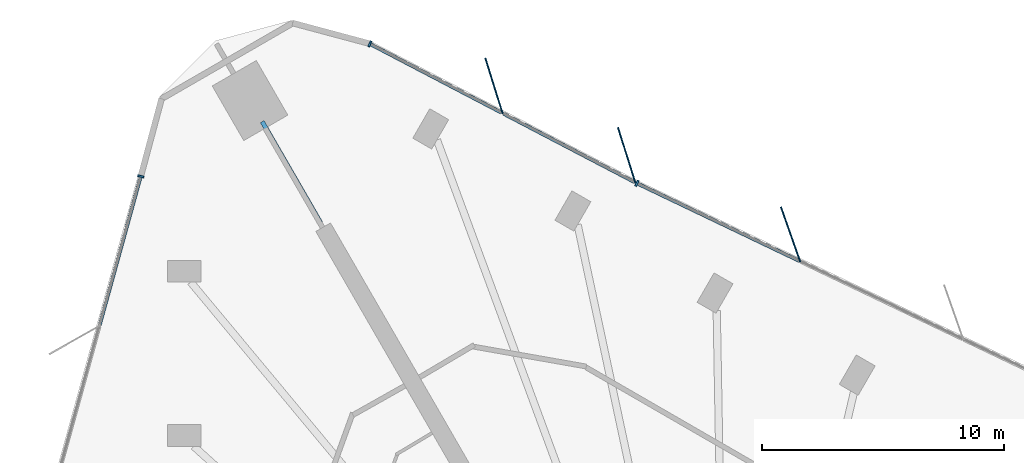
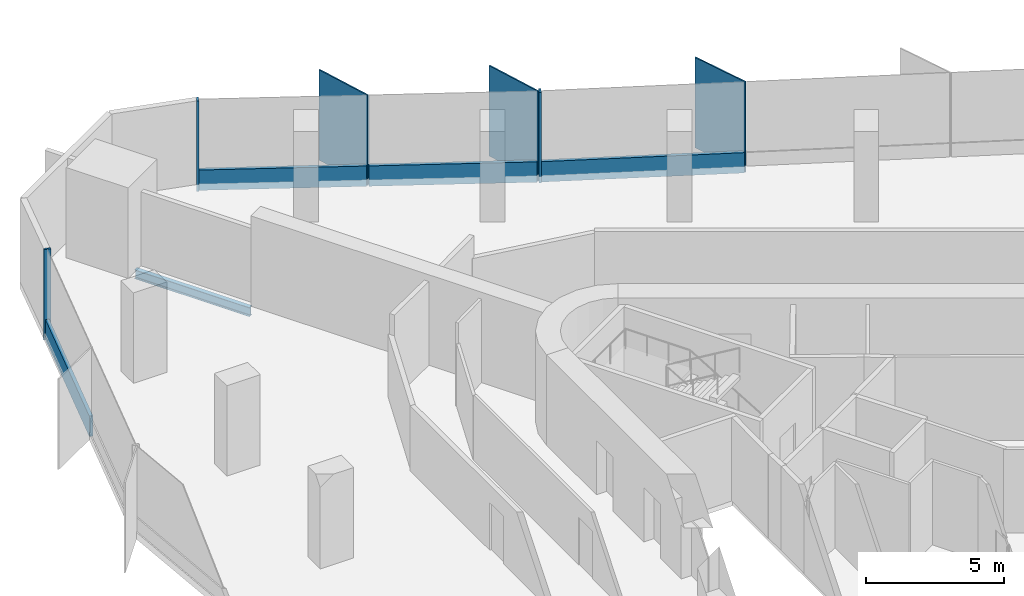
# One storey, part 6 of 13: 10 members, 1 beam, 3 elements without a shape of their own.
"""IFC4 building model written with IfcOpenShell, lengths in metres."""

from ifc_helpers import new_model, si_unit, direction, frame, origin, origin_2d, place, context, subcontext, project, spatial, rectangle, i_section, extrude, material, material_profile, profile_set, type_object, element, aggregate, save


model = new_model("IFC4")

# Units and contexts
model_context = context("Model", 3, precision=1e-05, world=origin(), true_north=direction((0.0, 1.0)))
body_context = subcontext(model_context, "Body", "Model", "MODEL_VIEW")
ifc_project = project(units=[si_unit("LENGTHUNIT", "METRE"), si_unit("AREAUNIT", "SQUARE_METRE"), si_unit("VOLUMEUNIT", "CUBIC_METRE"), si_unit("PLANEANGLEUNIT", "RADIAN"), si_unit("MASSUNIT", "GRAM", prefix="KILO")], contexts=[model_context])

# Site, building, storey
site_placement = place(None, origin())
site = spatial("IfcSite", under=ifc_project, at=site_placement, CompositionType="ELEMENT")
building_placement = place(site_placement, origin())
building = spatial("IfcBuilding", under=site, at=building_placement, Name="Tanit Gate Tower", CompositionType="ELEMENT")
storey_placement = place(building_placement, frame((0.0, 0.0, 181.199951171875)))
storey = spatial("IfcBuildingStorey", under=building, at=storey_placement, Name="L39", CompositionType="ELEMENT", Elevation=181.199951171875)

# Curtain wall, member
ifc_material_1 = material(Name="Aluminium bronze anodised and glass", Category="aluminium")
curtain_wall_type = type_object("IfcCurtainWallType", Name="Curtain wall typical mid", PredefinedType="NOTDEFINED", material=ifc_material_1)
curtain_wall_1_placement = place(storey_placement, origin())
curtain_wall_1 = element("IfcCurtainWall", 1, at=curtain_wall_1_placement, inside=storey, type_object=curtain_wall_type, Name="Curtain wall L39 NE2", PredefinedType="NOTDEFINED")
ifc_material_2 = material(Name="Aluminium bronze anodised", Category="aluminium")
ifc_material_profile_1 = material_profile(ifc_material_2, rectangle(XDim=2.39990234375, YDim=0.055908203125, at=origin_2d()), Name="56x2400 bronze fin mullion")
ifc_profile_set_1 = profile_set([ifc_material_profile_1], Name="Aluminium bronze anodised")
member_type_1 = type_object("IfcMemberType", Name="FIN MULLION 56x2400 bronze", PredefinedType="MULLION", material=ifc_profile_set_1)
member_1_placement = place(storey_placement, frame((2.5966796875, 28.60400390625, -0.300048828125), z_axis=(0.0, 0.0, 1.0), x_axis=(0.333090099539, -0.94289500242, 0.0)))
member_1 = element("IfcMember", 2, at=member_1_placement, type_object=member_type_1, Name="Fin mullion L39 NE2.5", PredefinedType="MULLION", context=body_context, shape_type="SweptSolid", body=[
    extrude(rectangle(XDim=2.39990234375, YDim=0.055908203125, at=origin_2d()), origin(), (0.0, 0.0, 1.0), 4.0),
])

# Curtain wall, members
curtain_wall_2_placement = place(storey_placement, origin())
curtain_wall_2 = element("IfcCurtainWall", 3, at=curtain_wall_2_placement, inside=storey, type_object=curtain_wall_type, Name="Curtain wall L39 NE3", PredefinedType="NOTDEFINED")
member_2_placement = place(storey_placement, frame((-4.16552734375, 31.869384765625, -0.300048828125), z_axis=(0.0, 0.0, 1.0), x_axis=(0.299452427004, -0.954111232489, 0.0)))
member_2 = element("IfcMember", 4, at=member_2_placement, type_object=member_type_1, Name="Fin mullion L39 NE3.1", PredefinedType="MULLION", context=body_context, shape_type="SweptSolid", body=[
    extrude(rectangle(XDim=2.39990234375, YDim=0.055908203125, at=origin_2d()), origin(), (0.0, 0.0, 1.0), 4.0),
])
member_3_placement = place(storey_placement, frame((-9.63818359375, 34.727294921875, -0.300048828125), z_axis=(0.0, 0.0, 1.0), x_axis=(0.299452427004, -0.954111232489, 0.0)))
member_3 = element("IfcMember", 5, at=member_3_placement, type_object=member_type_1, Name="Fin mullion L39 NE3.2", PredefinedType="MULLION", context=body_context, shape_type="SweptSolid", body=[
    extrude(rectangle(XDim=2.39990234375, YDim=0.055908203125, at=origin_2d()), origin(), (0.0, 0.0, 1.0), 4.0),
])

# Member
ifc_material_3 = material(Name="Aluminium bronze anodised", Category="aluminium")
ifc_material_profile_2 = material_profile(ifc_material_3, rectangle(XDim=0.260009765625, YDim=0.080078125, at=origin_2d()), Name="80x260 bronze mullion")
ifc_profile_set_2 = profile_set([ifc_material_profile_2], Name="Aluminium bronze anodised")
member_type_2 = type_object("IfcMemberType", Name="Mullion 80x260 typical mid", PredefinedType="MULLION", material=ifc_profile_set_2)
member_4_placement = place(storey_placement, frame((-3.740966796875, 30.708984375, -0.300048828125), z_axis=(0.0, 0.0, 1.0), x_axis=(-0.431197182029, -0.902257718288, 0.0)))
member_4 = element("IfcMember", 6, at=member_4_placement, type_object=member_type_2, Name="Mullion L39 NE2.6", PredefinedType="MULLION", context=body_context, shape_type="SweptSolid", body=[
    extrude(rectangle(XDim=0.260009765625, YDim=0.080078125, at=origin_2d()), origin(), (0.0, 0.0, 1.0), 4.0),
])

member_5_placement = place(storey_placement, frame((-14.757568359375, 36.460693359375, -0.300048828125), z_axis=(0.0, 0.0, 1.0), x_axis=(-0.462913680722, -0.886403364276, 0.0)))
member_5 = element("IfcMember", 7, at=member_5_placement, type_object=member_type_2, Name="Mullion L39 NE3.3", PredefinedType="MULLION", context=body_context, shape_type="SweptSolid", body=[
    extrude(rectangle(XDim=0.260009765625, YDim=0.080078125, at=origin_2d()), origin(), (0.0, 0.0, 1.0), 4.0),
])

# Curtain wall, member
curtain_wall_3_placement = place(storey_placement, origin())
curtain_wall_3 = element("IfcCurtainWall", 8, at=curtain_wall_3_placement, inside=storey, type_object=curtain_wall_type, Name="Curtain wall L39 W1", PredefinedType="NOTDEFINED")
member_6_placement = place(storey_placement, frame((-24.20947265625, 30.9990234375, -0.300048828125), z_axis=(0.0, 0.0, 1.0), x_axis=(0.963920221871, -0.266191295627, 0.0)))
member_6 = element("IfcMember", 9, at=member_6_placement, type_object=member_type_2, Name="Mullion L39 W1.1", PredefinedType="MULLION", context=body_context, shape_type="SweptSolid", body=[
    extrude(rectangle(XDim=0.260009765625, YDim=0.080078125, at=origin_2d()), origin(), (0.0, 0.0, 1.0), 4.0),
])

# Beam
ifc_material_4 = material(Name="Steel S355", Category="steel")
ifc_material_profile_3 = material_profile(ifc_material_4, i_section(OverallWidth=0.179931640625, OverallDepth=0.39990234375, WebThickness=0.008544921875, FlangeThickness=0.013427734375, FilletRadius=0.02099609375, at=origin_2d()), Name="IPE 400")
ifc_profile_set_3 = profile_set([ifc_material_profile_3], Name="Steel S355")
beam_type = type_object("IfcBeamType", Name="RADIAL GIRDER IPE 400 S355", PredefinedType="BEAM", material=ifc_profile_set_3)
beam_placement = place(storey_placement, frame((-19.198974609375, 33.253662109375, -0.5), z_axis=(0.500010649093, -0.866019255441, 0.0), x_axis=(0.866019255441, 0.500010649093, 0.0)))
element("IfcBeam", 10, at=beam_placement, inside=storey, type_object=beam_type, Name="RADIAL GIRDER", PredefinedType="BEAM", context=body_context, shape_type="SweptSolid", body=[
    extrude(i_section(OverallWidth=0.179931640625, OverallDepth=0.39990234375, WebThickness=0.008544921875, FlangeThickness=0.013427734375, FilletRadius=0.02099609375, at=origin_2d()), origin(), (0.0, 0.0, 1.0), 4.8154296875),
])

# Member
ifc_material_5 = material(Name="Aluminium bronze anodised", Category="aluminium")
ifc_material_profile_4 = material_profile(ifc_material_5, rectangle(XDim=0.139892578125, YDim=0.89990234375, at=origin_2d()), Name="140x900 bronze transom")
ifc_profile_set_4 = profile_set([ifc_material_profile_4], Name="Aluminium bronze anodised")
member_type_3 = type_object("IfcMemberType", Name="Transom 140x900 typical mid", PredefinedType="USERDEFINED", material=ifc_profile_set_4)
member_7_placement = place(storey_placement, frame((2.953125, 27.509765625, 0.150146484375), z_axis=(-0.902258481648, 0.431195584735, 0.0), x_axis=(-0.431195584735, -0.902258481648, 0.0)))
member_7 = element("IfcMember", 11, at=member_7_placement, type_object=member_type_3, Name="Transom L39 NE2.5", ObjectType="TRANSOM", PredefinedType="USERDEFINED", context=body_context, shape_type="SweptSolid", body=[
    extrude(rectangle(XDim=0.139892578125, YDim=0.89990234375, at=origin_2d()), origin(), (0.0, 0.0, 1.0), 7.379150390625),
])

aggregate(curtain_wall_1, [member_1, member_4, member_7])

member_8_placement = place(storey_placement, frame((-3.84814453125, 30.76318359375, 0.150146484375), z_axis=(-0.886386883346, 0.462945237618, 0.0), x_axis=(-0.462945237618, -0.886386883346, 0.0)))
member_8 = element("IfcMember", 12, at=member_8_placement, type_object=member_type_3, Name="Transom L39 NE3.1", ObjectType="TRANSOM", PredefinedType="USERDEFINED", context=body_context, shape_type="SweptSolid", body=[
    extrude(rectangle(XDim=0.139892578125, YDim=0.89990234375, at=origin_2d()), origin(), (0.0, 0.0, 1.0), 6.09375),
])

member_9_placement = place(storey_placement, frame((-9.320556640625, 33.62109375, 0.150146484375), z_axis=(-0.886395469442, 0.462928797713, 0.0), x_axis=(-0.462928797713, -0.886395469442, 0.0)))
member_9 = element("IfcMember", 13, at=member_9_placement, type_object=member_type_3, Name="Transom L39 NE3.2", ObjectType="TRANSOM", PredefinedType="USERDEFINED", context=body_context, shape_type="SweptSolid", body=[
    extrude(rectangle(XDim=0.139892578125, YDim=0.89990234375, at=origin_2d()), origin(), (0.0, 0.0, 1.0), 6.093994140625),
])

aggregate(curtain_wall_2, [member_2, member_3, member_5, member_8, member_9])

member_10_placement = place(storey_placement, frame((-24.22021484375, 30.96044921875, 0.150146484375), z_axis=(-0.266164324835, -0.963927669582, 0.0), x_axis=(0.963927669582, -0.266164324835, 0.0)))
member_10 = element("IfcMember", 14, at=member_10_placement, type_object=member_type_3, Name="Transom L39 W1.1", ObjectType="TRANSOM", PredefinedType="USERDEFINED", context=body_context, shape_type="SweptSolid", body=[
    extrude(rectangle(XDim=0.139892578125, YDim=0.89990234375, at=origin_2d()), origin(), (0.0, 0.0, 1.0), 6.316162109375),
])

aggregate(curtain_wall_3, [member_6, member_10])

save(model, "model.ifc")
